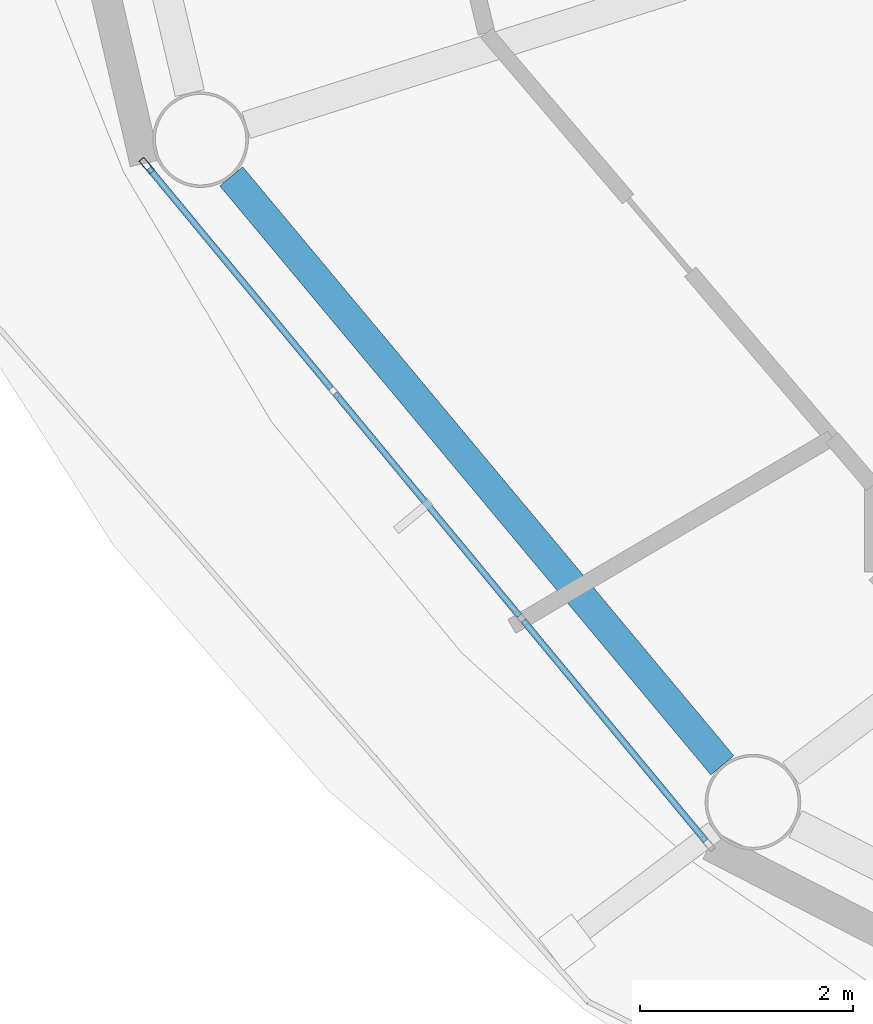
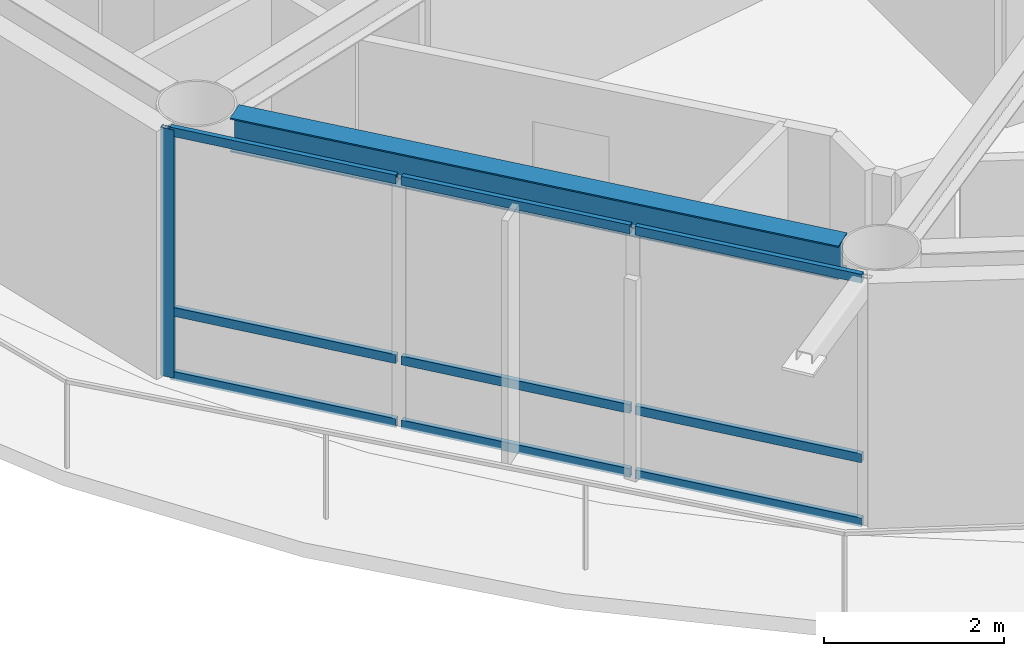
# One storey, part 3 of 22: 10 members, 1 beam, 1 element without a shape of its own.
"""IFC4 building model written with IfcOpenShell, lengths in metres."""

from ifc_helpers import new_model, si_unit, direction, frame, origin, origin_2d, place, context, subcontext, project, spatial, hollow_rectangle, i_section, extrude, material, layer, layer_set, material_profile, profile_set, type_object, element, aggregate, save


model = new_model("IFC4")

# Units and contexts
model_context = context("Model", 3, precision=1e-05, world=origin(), true_north=direction((0.0, 1.0)))
body_context = subcontext(model_context, "Body", "Model", "MODEL_VIEW")
ifc_project = project(units=[si_unit("LENGTHUNIT", "METRE"), si_unit("AREAUNIT", "SQUARE_METRE"), si_unit("VOLUMEUNIT", "CUBIC_METRE"), si_unit("PLANEANGLEUNIT", "RADIAN"), si_unit("MASSUNIT", "GRAM", prefix="KILO")], contexts=[model_context])

# Site, building, storey
site_placement = place(None, origin())
site = spatial("IfcSite", under=ifc_project, at=site_placement, CompositionType="ELEMENT")
building_placement = place(site_placement, origin())
building = spatial("IfcBuilding", under=site, at=building_placement, Name="Sarneth Arch Tower", CompositionType="ELEMENT")
storey_placement = place(building_placement, frame((0.0, 0.0, 305.39990234375)))
storey = spatial("IfcBuildingStorey", under=building, at=storey_placement, Name="L79", CompositionType="ELEMENT", Elevation=305.39990234375)

# Beam
ifc_material_1 = material(Name="Steel S355", Category="steel")
ifc_material_profile_1 = material_profile(ifc_material_1, i_section(OverallWidth=0.280029296875, OverallDepth=0.462890625, WebThickness=0.0107421875, FlangeThickness=0.017333984375, FilletRadius=0.01806640625, at=origin_2d()), Name="W460x113")
ifc_profile_set_1 = profile_set([ifc_material_profile_1], Name="Steel S355")
beam_type = type_object("IfcBeamType", Name="BM-RAD-460A", PredefinedType="BEAM", material=ifc_profile_set_1)
beam_placement = place(storey_placement, frame((25.119384765625, 34.306884765625, 3.138671875), z_axis=(0.640390876881, -0.768049168222, 0.0), x_axis=(0.768049168222, 0.640390876881, 0.0)))
element("IfcBeam", 1, at=beam_placement, inside=storey, type_object=beam_type, Name="L79 Perimeter spandrel beam 10", PredefinedType="BEAM", context=body_context, shape_type="SweptSolid", body=[
    extrude(i_section(OverallWidth=0.280029296875, OverallDepth=0.462890625, WebThickness=0.0107421875, FlangeThickness=0.017333984375, FilletRadius=0.01806640625, at=origin_2d()), origin(), (0.0, 0.0, 1.0), 7.2099609375),
])

# Curtain wall, members
ifc_material_2 = material(Name="Anodised aluminium Type AA25 and solar-control low-e laminated IGU", Category="aluminium")
ifc_layer = layer(ifc_material_2, 0.179931640625)
ifc_layer_set = layer_set([ifc_layer], Name="Anodised aluminium Type AA25 and solar-control low-e laminated IGU")
curtain_wall_type = type_object("IfcCurtainWallType", Name="CW-RES-HIGH", PredefinedType="NOTDEFINED", material=ifc_layer_set)
curtain_wall_placement = place(storey_placement, origin())
curtain_wall = element("IfcCurtainWall", 2, at=curtain_wall_placement, inside=storey, type_object=curtain_wall_type, Name="L79 Unitised curtain wall facet 10", PredefinedType="NOTDEFINED")
ifc_material_3 = material(Name="Anodised Aluminium 6063-T6", Category="aluminium")
ifc_material_profile_2 = material_profile(ifc_material_3, hollow_rectangle(XDim=0.06005859375, YDim=0.159912109375, WallThickness=0.00390625, at=origin_2d()), Name="AL-MULL-160x60x4")
ifc_profile_set_2 = profile_set([ifc_material_profile_2], Name="Anodised Aluminium 6063-T6")
member_type_1 = type_object("IfcMemberType", Name="CW-MULLION", PredefinedType="MULLION", material=ifc_profile_set_2)
member_1_placement = place(storey_placement, frame((24.325439453125, 34.407470703125, 0.0), z_axis=(0.0, 0.0, 1.0), x_axis=(0.770359245933, 0.637610094184, 0.0)))
member_1 = element("IfcMember", 3, at=member_1_placement, type_object=member_type_1, Name="CW-SYS-6 mullion 1", PredefinedType="MULLION", context=body_context, shape_type="SweptSolid", body=[
    extrude(hollow_rectangle(XDim=0.06005859375, YDim=0.159912109375, WallThickness=0.00390625, at=origin_2d()), origin(), (0.0, 0.0, 1.0), 3.3701171875),
])
ifc_material_4 = material(Name="Anodised Aluminium 6063-T6", Category="aluminium")
ifc_material_profile_3 = material_profile(ifc_material_4, hollow_rectangle(XDim=0.06005859375, YDim=0.1201171875, WallThickness=0.00390625, at=origin_2d()), Name="AL-TRAN-120x60x4")
ifc_profile_set_3 = profile_set([ifc_material_profile_3], Name="Anodised Aluminium 6063-T6")
member_type_2 = type_object("IfcMemberType", Name="CW-TRANSOM", PredefinedType="USERDEFINED", material=ifc_profile_set_3)
member_2_placement = place(storey_placement, frame((24.344482421875, 34.38427734375, 0.030029296875), z_axis=(0.637651400067, -0.770325056059, 0.0), x_axis=(0.770325056059, 0.637651400067, 0.0)))
member_2 = element("IfcMember", 4, at=member_2_placement, type_object=member_type_2, Name="CW-SYS-6 transom 1.1", ObjectType="TRANSOM", PredefinedType="USERDEFINED", context=body_context, shape_type="SweptSolid", body=[
    extrude(hollow_rectangle(XDim=0.06005859375, YDim=0.1201171875, WallThickness=0.00390625, at=origin_2d()), origin(), (0.0, 0.0, 1.0), 2.6865234375),
])
member_3_placement = place(storey_placement, frame((24.344482421875, 34.38427734375, 0.900146484375), z_axis=(0.637651400067, -0.770325056059, 0.0), x_axis=(0.770325056059, 0.637651400067, 0.0)))
member_3 = element("IfcMember", 5, at=member_3_placement, type_object=member_type_2, Name="CW-SYS-6 transom 1.2", ObjectType="TRANSOM", PredefinedType="USERDEFINED", context=body_context, shape_type="SweptSolid", body=[
    extrude(hollow_rectangle(XDim=0.06005859375, YDim=0.1201171875, WallThickness=0.00390625, at=origin_2d()), origin(), (0.0, 0.0, 1.0), 2.6865234375),
])
member_4_placement = place(storey_placement, frame((24.344482421875, 34.38427734375, 3.340087890625), z_axis=(0.637651400067, -0.770325056059, 0.0), x_axis=(0.770325056059, 0.637651400067, 0.0)))
member_4 = element("IfcMember", 6, at=member_4_placement, type_object=member_type_2, Name="CW-SYS-6 transom 1.3", ObjectType="TRANSOM", PredefinedType="USERDEFINED", context=body_context, shape_type="SweptSolid", body=[
    extrude(hollow_rectangle(XDim=0.06005859375, YDim=0.1201171875, WallThickness=0.00390625, at=origin_2d()), origin(), (0.0, 0.0, 1.0), 2.6865234375),
])
member_5_placement = place(storey_placement, frame((26.095703125, 32.268310546875, 0.030029296875), z_axis=(0.637617371902, -0.770353222261, 0.0), x_axis=(0.770353222261, 0.637617371902, 0.0)))
member_5 = element("IfcMember", 7, at=member_5_placement, type_object=member_type_2, Name="CW-SYS-6 transom 2.1", ObjectType="TRANSOM", PredefinedType="USERDEFINED", context=body_context, shape_type="SweptSolid", body=[
    extrude(hollow_rectangle(XDim=0.06005859375, YDim=0.1201171875, WallThickness=0.00390625, at=origin_2d()), origin(), (0.0, 0.0, 1.0), 2.716552734375),
])
member_6_placement = place(storey_placement, frame((26.095703125, 32.268310546875, 0.900146484375), z_axis=(0.637617371902, -0.770353222261, 0.0), x_axis=(0.770353222261, 0.637617371902, 0.0)))
member_6 = element("IfcMember", 8, at=member_6_placement, type_object=member_type_2, Name="CW-SYS-6 transom 2.2", ObjectType="TRANSOM", PredefinedType="USERDEFINED", context=body_context, shape_type="SweptSolid", body=[
    extrude(hollow_rectangle(XDim=0.06005859375, YDim=0.1201171875, WallThickness=0.00390625, at=origin_2d()), origin(), (0.0, 0.0, 1.0), 2.716552734375),
])
member_7_placement = place(storey_placement, frame((26.095703125, 32.268310546875, 3.340087890625), z_axis=(0.637617371902, -0.770353222261, 0.0), x_axis=(0.770353222261, 0.637617371902, 0.0)))
member_7 = element("IfcMember", 9, at=member_7_placement, type_object=member_type_2, Name="CW-SYS-6 transom 2.3", ObjectType="TRANSOM", PredefinedType="USERDEFINED", context=body_context, shape_type="SweptSolid", body=[
    extrude(hollow_rectangle(XDim=0.06005859375, YDim=0.1201171875, WallThickness=0.00390625, at=origin_2d()), origin(), (0.0, 0.0, 1.0), 2.716552734375),
])
member_8_placement = place(storey_placement, frame((27.8662109375, 30.12939453125, 0.030029296875), z_axis=(0.637606765719, -0.770362000821, 0.0), x_axis=(0.770362000821, 0.637606765719, 0.0)))
member_8 = element("IfcMember", 10, at=member_8_placement, type_object=member_type_2, Name="CW-SYS-6 transom 3.1", ObjectType="TRANSOM", PredefinedType="USERDEFINED", context=body_context, shape_type="SweptSolid", body=[
    extrude(hollow_rectangle(XDim=0.06005859375, YDim=0.1201171875, WallThickness=0.00390625, at=origin_2d()), origin(), (0.0, 0.0, 1.0), 2.686767578125),
])
member_9_placement = place(storey_placement, frame((27.8662109375, 30.12939453125, 0.900146484375), z_axis=(0.637606765719, -0.770362000821, 0.0), x_axis=(0.770362000821, 0.637606765719, 0.0)))
member_9 = element("IfcMember", 11, at=member_9_placement, type_object=member_type_2, Name="CW-SYS-6 transom 3.2", ObjectType="TRANSOM", PredefinedType="USERDEFINED", context=body_context, shape_type="SweptSolid", body=[
    extrude(hollow_rectangle(XDim=0.06005859375, YDim=0.1201171875, WallThickness=0.00390625, at=origin_2d()), origin(), (0.0, 0.0, 1.0), 2.686767578125),
])
member_10_placement = place(storey_placement, frame((27.8662109375, 30.12939453125, 3.340087890625), z_axis=(0.637606765719, -0.770362000821, 0.0), x_axis=(0.770362000821, 0.637606765719, 0.0)))
member_10 = element("IfcMember", 12, at=member_10_placement, type_object=member_type_2, Name="CW-SYS-6 transom 3.3", ObjectType="TRANSOM", PredefinedType="USERDEFINED", context=body_context, shape_type="SweptSolid", body=[
    extrude(hollow_rectangle(XDim=0.06005859375, YDim=0.1201171875, WallThickness=0.00390625, at=origin_2d()), origin(), (0.0, 0.0, 1.0), 2.686767578125),
])
aggregate(curtain_wall, [member_1, member_2, member_3, member_4, member_5, member_6, member_7, member_8, member_9, member_10])

save(model, "model.ifc")
